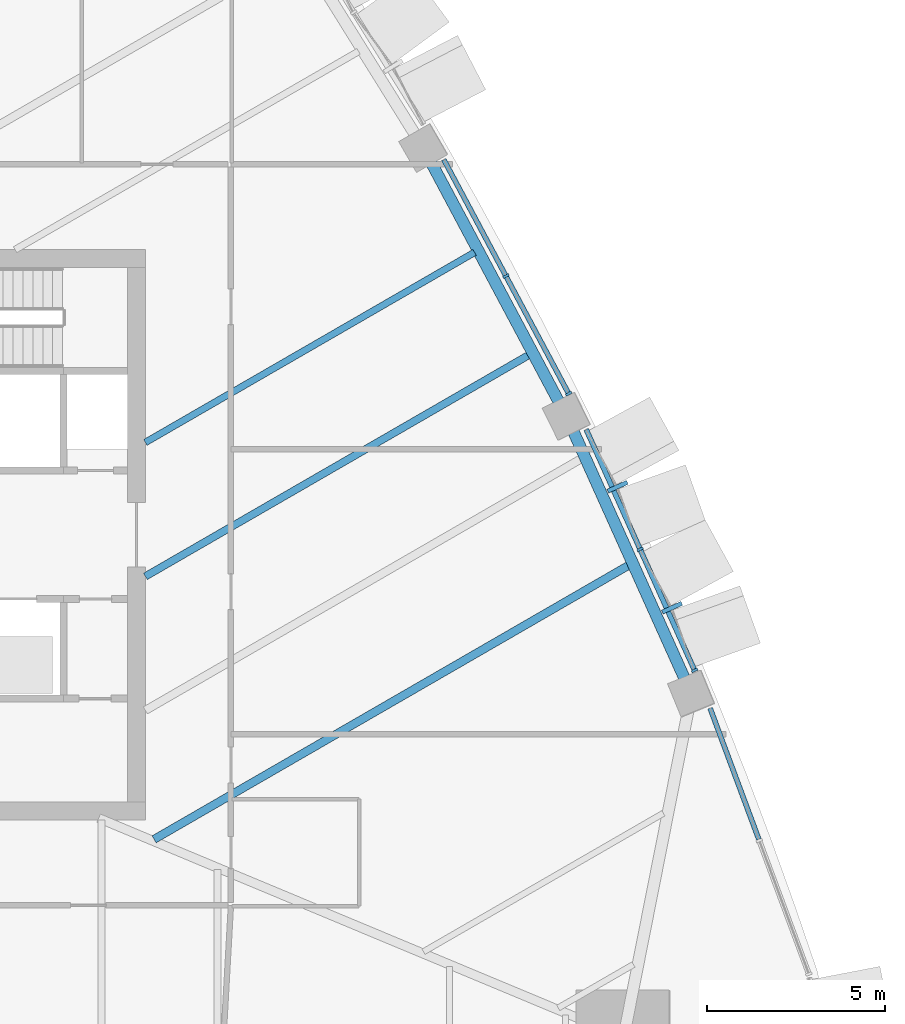
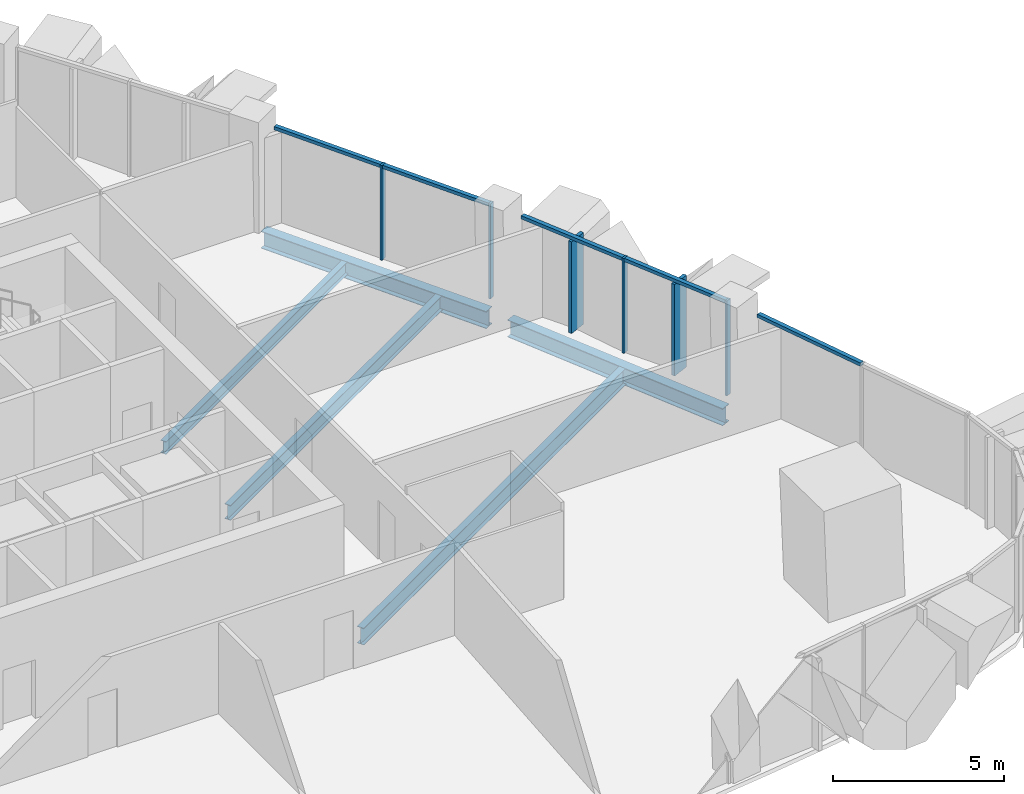
# One storey, part 5 of 17: 11 members, 5 beams, 3 elements without a shape of their own.
"""IFC4 building model written with IfcOpenShell, lengths in metres."""

from ifc_helpers import new_model, si_unit, direction, frame, origin, origin_2d, place, context, subcontext, project, spatial, rectangle, i_section, extrude, material, layer, layer_set, material_profile, profile_set, type_object, element, aggregate, save


model = new_model("IFC4")

# Units and contexts
model_context = context("Model", 3, precision=1e-05, world=origin(), true_north=direction((0.0, 1.0)))
body_context = subcontext(model_context, "Body", "Model", "MODEL_VIEW")
ifc_project = project(units=[si_unit("LENGTHUNIT", "METRE"), si_unit("AREAUNIT", "SQUARE_METRE"), si_unit("VOLUMEUNIT", "CUBIC_METRE"), si_unit("PLANEANGLEUNIT", "RADIAN"), si_unit("MASSUNIT", "GRAM", prefix="KILO")], contexts=[model_context])

# Site, building, storey
site_placement = place(None, origin())
site = spatial("IfcSite", under=ifc_project, at=site_placement, CompositionType="ELEMENT")
building_placement = place(site_placement, origin())
building = spatial("IfcBuilding", under=site, at=building_placement, Name="Sierra Prisma Convention Tower", CompositionType="ELEMENT")
storey_placement = place(building_placement, frame((0.0, 0.0, 149.800048828125)))
storey = spatial("IfcBuildingStorey", under=building, at=storey_placement, Name="L32", CompositionType="ELEMENT", Elevation=149.800048828125)

# Curtain wall, members
ifc_material_1 = material(Name="Aluminium and glass curtain wall", Category="aluminium")
ifc_layer_1 = layer(ifc_material_1, 0.179931640625)
ifc_layer_set_1 = layer_set([ifc_layer_1], Name="CW-2 Faceted crystal curtain wall")
curtain_wall_type_1 = type_object("IfcCurtainWallType", Name="CW-2 Faceted crystal curtain wall", PredefinedType="NOTDEFINED", material=ifc_layer_set_1)
curtain_wall_1_placement = place(storey_placement, origin())
curtain_wall_1 = element("IfcCurtainWall", 1, at=curtain_wall_1_placement, inside=storey, type_object=curtain_wall_type_1, Name="CW-2 NE2 L32", PredefinedType="NOTDEFINED")
ifc_material_2 = material(Name="Aluminium 6063-T6 bronze anodised", Category="aluminium")
ifc_material_profile_1 = material_profile(ifc_material_2, rectangle(XDim=0.1201171875, YDim=0.60009765625, at=origin_2d()), Name="ALU RIDGE BLADE 120x600")
ifc_profile_set_1 = profile_set([ifc_material_profile_1], Name="Aluminium 6063-T6 bronze anodised")
member_type_1 = type_object("IfcMemberType", Name="CW hip bronze", PredefinedType="MULLION", material=ifc_profile_set_1)
member_1_placement = place(storey_placement, frame((25.77880859375, -2.0478515625, 0.0), z_axis=(0.0, 0.0, 1.0), x_axis=(-0.410343631466, 0.911930975521, 0.0)))
member_1 = element("IfcMember", 2, at=member_1_placement, type_object=member_type_1, Name="CW-2 ridge NE2.1", PredefinedType="MULLION", context=body_context, shape_type="SweptSolid", body=[
    extrude(rectangle(XDim=0.1201171875, YDim=0.60009765625, at=origin_2d()), origin(), (0.0, 0.0, 1.0), 3.280029296875),
])
member_2_placement = place(storey_placement, frame((24.25048828125, 1.348388671875, 0.0), z_axis=(0.0, 0.0, 1.0), x_axis=(-0.410343631466, 0.911930975521, 0.0)))
member_2 = element("IfcMember", 3, at=member_2_placement, type_object=member_type_1, Name="CW-2 ridge NE2.2", PredefinedType="MULLION", context=body_context, shape_type="SweptSolid", body=[
    extrude(rectangle(XDim=0.1201171875, YDim=0.60009765625, at=origin_2d()), origin(), (0.0, 0.0, 1.0), 3.280029296875),
])
ifc_material_3 = material(Name="Aluminium 6063-T6 bronze anodised", Category="aluminium")
ifc_material_profile_2 = material_profile(ifc_material_3, rectangle(XDim=0.179931640625, YDim=0.070068359375, at=origin_2d()), Name="ALU MULLION 70x180")
ifc_profile_set_2 = profile_set([ifc_material_profile_2], Name="Aluminium 6063-T6 bronze anodised")
member_type_2 = type_object("IfcMemberType", Name="CW mullion bronze", PredefinedType="MULLION", material=ifc_profile_set_2)
member_3_placement = place(storey_placement, frame((26.411865234375, -3.80517578125, 0.0), z_axis=(0.0, 0.0, 1.0), x_axis=(-0.911930975521, -0.410343631466, 0.0)))
member_3 = element("IfcMember", 4, at=member_3_placement, type_object=member_type_2, Name="CW-1 mullion NE2.1", PredefinedType="MULLION", context=body_context, shape_type="SweptSolid", body=[
    extrude(rectangle(XDim=0.179931640625, YDim=0.070068359375, at=origin_2d()), origin(), (0.0, 0.0, 1.0), 3.39990234375),
])
member_4_placement = place(storey_placement, frame((24.883544921875, -0.408935546875, 0.0), z_axis=(0.0, 0.0, 1.0), x_axis=(-0.911930975521, -0.410343631466, 0.0)))
member_4 = element("IfcMember", 5, at=member_4_placement, type_object=member_type_2, Name="CW-1 mullion NE2.2", PredefinedType="MULLION", context=body_context, shape_type="SweptSolid", body=[
    extrude(rectangle(XDim=0.179931640625, YDim=0.070068359375, at=origin_2d()), origin(), (0.0, 0.0, 1.0), 3.39990234375),
])

ifc_material_4 = material(Name="Aluminium and glass curtain wall", Category="aluminium")
ifc_layer_2 = layer(ifc_material_4, 0.179931640625)
ifc_layer_set_2 = layer_set([ifc_layer_2], Name="CW-1 Plain shaft curtain wall")
curtain_wall_type_2 = type_object("IfcCurtainWallType", Name="CW-1 Plain shaft curtain wall", PredefinedType="NOTDEFINED", material=ifc_layer_set_2)
curtain_wall_2_placement = place(storey_placement, origin())
curtain_wall_2 = element("IfcCurtainWall", 6, at=curtain_wall_2_placement, inside=storey, type_object=curtain_wall_type_2, Name="CW-1 NE3 L32", PredefinedType="NOTDEFINED")
member_5_placement = place(storey_placement, frame((22.878173828125, 3.958251953125, 0.0), z_axis=(0.0, 0.0, 1.0), x_axis=(-0.882328403488, -0.470634240571, 0.0)))
member_5 = element("IfcMember", 7, at=member_5_placement, type_object=member_type_2, Name="CW-1 mullion NE3.1", PredefinedType="MULLION", context=body_context, shape_type="SweptSolid", body=[
    extrude(rectangle(XDim=0.179931640625, YDim=0.070068359375, at=origin_2d()), origin(), (0.0, 0.0, 1.0), 3.39990234375),
])
member_6_placement = place(storey_placement, frame((21.117919921875, 7.258544921875, 0.0), z_axis=(0.0, 0.0, 1.0), x_axis=(-0.882328403488, -0.470634240571, 0.0)))
member_6 = element("IfcMember", 8, at=member_6_placement, type_object=member_type_2, Name="CW-1 mullion NE3.2", PredefinedType="MULLION", context=body_context, shape_type="SweptSolid", body=[
    extrude(rectangle(XDim=0.179931640625, YDim=0.070068359375, at=origin_2d()), origin(), (0.0, 0.0, 1.0), 3.39990234375),
])

# Curtain wall, member
curtain_wall_3_placement = place(storey_placement, origin())
curtain_wall_3 = element("IfcCurtainWall", 9, at=curtain_wall_3_placement, inside=storey, type_object=curtain_wall_type_2, Name="CW-1 NE1 L32", PredefinedType="NOTDEFINED")
ifc_material_5 = material(Name="Aluminium 6063-T6 bronze anodised", Category="aluminium")
ifc_material_profile_3 = material_profile(ifc_material_5, rectangle(XDim=0.139892578125, YDim=0.1201171875, at=origin_2d()), Name="ALU TRANSOM 120x140")
ifc_profile_set_3 = profile_set([ifc_material_profile_3], Name="Aluminium 6063-T6 bronze anodised")
member_type_3 = type_object("IfcMemberType", Name="CW transom bronze", PredefinedType="USERDEFINED", material=ifc_profile_set_3)
member_7_placement = place(storey_placement, frame((28.21533203125, -8.548828125, 3.33984375), z_axis=(-0.348184968516, 0.937425851841, 0.0), x_axis=(-0.937425851841, -0.348184968516, 0.0)))
member_7 = element("IfcMember", 10, at=member_7_placement, type_object=member_type_3, Name="CW-1 transom NE1.2", ObjectType="TRANSOM", PredefinedType="USERDEFINED", context=body_context, shape_type="SweptSolid", body=[
    extrude(rectangle(XDim=0.139892578125, YDim=0.1201171875, at=origin_2d()), origin(), (0.0, 0.0, 1.0), 3.926513671875),
])
aggregate(curtain_wall_3, [member_7])

# Member
member_8_placement = place(storey_placement, frame((26.3974609375, -3.773193359375, 3.33984375), z_axis=(-0.410336898198, 0.911934005275, 0.0), x_axis=(-0.911934005275, -0.410336898198, 0.0)))
member_8 = element("IfcMember", 11, at=member_8_placement, type_object=member_type_3, Name="CW-1 transom NE2.1", ObjectType="TRANSOM", PredefinedType="USERDEFINED", context=body_context, shape_type="SweptSolid", body=[
    extrude(rectangle(XDim=0.139892578125, YDim=0.1201171875, at=origin_2d()), origin(), (0.0, 0.0, 1.0), 3.654296875),
])

member_9_placement = place(storey_placement, frame((24.869140625, -0.376953125, 3.33984375), z_axis=(-0.410336898198, 0.911934005275, 0.0), x_axis=(-0.911934005275, -0.410336898198, 0.0)))
member_9 = element("IfcMember", 12, at=member_9_placement, type_object=member_type_3, Name="CW-1 transom NE2.2", ObjectType="TRANSOM", PredefinedType="USERDEFINED", context=body_context, shape_type="SweptSolid", body=[
    extrude(rectangle(XDim=0.139892578125, YDim=0.1201171875, at=origin_2d()), origin(), (0.0, 0.0, 1.0), 3.654296875),
])

aggregate(curtain_wall_1, [member_3, member_4, member_8, member_1, member_9, member_2])

member_10_placement = place(storey_placement, frame((22.86181640625, 3.9892578125, 3.33984375), z_axis=(-0.470684902954, 0.88230137829, 0.0), x_axis=(-0.88230137829, -0.470684902954, 0.0)))
member_10 = element("IfcMember", 13, at=member_10_placement, type_object=member_type_3, Name="CW-1 transom NE3.1", ObjectType="TRANSOM", PredefinedType="USERDEFINED", context=body_context, shape_type="SweptSolid", body=[
    extrude(rectangle(XDim=0.139892578125, YDim=0.1201171875, at=origin_2d()), origin(), (0.0, 0.0, 1.0), 3.670166015625),
])

member_11_placement = place(storey_placement, frame((21.101318359375, 7.289306640625, 3.33984375), z_axis=(-0.470605497318, 0.882343734547, 0.0), x_axis=(-0.882343734547, -0.470605497318, 0.0)))
member_11 = element("IfcMember", 14, at=member_11_placement, type_object=member_type_3, Name="CW-1 transom NE3.2", ObjectType="TRANSOM", PredefinedType="USERDEFINED", context=body_context, shape_type="SweptSolid", body=[
    extrude(rectangle(XDim=0.139892578125, YDim=0.1201171875, at=origin_2d()), origin(), (0.0, 0.0, 1.0), 3.67041015625),
])

aggregate(curtain_wall_2, [member_5, member_6, member_10, member_11])

# Beams
ifc_material_6 = material(Name="Steel ASTM A992 Gr 50", Category="steel")
ifc_material_profile_4 = material_profile(ifc_material_6, i_section(OverallWidth=0.18994140625, OverallDepth=0.45703125, WebThickness=0.009033203125, FlangeThickness=0.014404296875, at=origin_2d()), Name="W460x74")
ifc_profile_set_4 = profile_set([ifc_material_profile_4], Name="Steel ASTM A992 Gr 50")
beam_type_1 = type_object("IfcBeamType", Name="Floor joist W460x74", PredefinedType="JOIST", material=ifc_profile_set_4)
beam_1_placement = place(storey_placement, frame((20.23828125, 7.9248046875, -0.378662109375), z_axis=(-0.866024751559, -0.500001129686, 0.0), x_axis=(0.500001129686, -0.866024751559, 0.0)))
element("IfcBeam", 15, at=beam_1_placement, inside=storey, type_object=beam_type_1, Name="Floor joist L32 NE07", PredefinedType="JOIST", context=body_context, shape_type="SweptSolid", body=[
    extrude(i_section(OverallWidth=0.18994140625, OverallDepth=0.45703125, WebThickness=0.009033203125, FlangeThickness=0.014404296875, at=origin_2d()), origin(), (0.0, 0.0, 1.0), 10.66748046875),
])
ifc_material_7 = material(Name="Steel ASTM A992 Gr 50", Category="steel")
ifc_material_profile_5 = material_profile(ifc_material_7, i_section(OverallWidth=0.208984375, OverallDepth=0.532958984375, WebThickness=0.01025390625, FlangeThickness=0.015625, at=origin_2d()), Name="W530x92")
ifc_profile_set_5 = profile_set([ifc_material_profile_5], Name="Steel ASTM A992 Gr 50")
beam_type_2 = type_object("IfcBeamType", Name="Floor joist W530x92", PredefinedType="JOIST", material=ifc_profile_set_5)
beam_2_placement = place(storey_placement, frame((21.771728515625, 5.05029296875, -0.41650390625), z_axis=(-0.866027709035, -0.499996007168, 0.0), x_axis=(0.499996007168, -0.866027709035, 0.0)))
element("IfcBeam", 16, at=beam_2_placement, inside=storey, type_object=beam_type_2, Name="Floor joist L32 NE06", PredefinedType="JOIST", context=body_context, shape_type="SweptSolid", body=[
    extrude(i_section(OverallWidth=0.208984375, OverallDepth=0.532958984375, WebThickness=0.01025390625, FlangeThickness=0.015625, at=origin_2d()), origin(), (0.0, 0.0, 1.0), 12.43798828125),
])
ifc_material_8 = material(Name="Steel ASTM A992 Gr 50", Category="steel")
ifc_material_profile_6 = material_profile(ifc_material_8, i_section(OverallWidth=0.22802734375, OverallDepth=0.60302734375, WebThickness=0.010498046875, FlangeThickness=0.014892578125, at=origin_2d()), Name="W610x101")
ifc_profile_set_6 = profile_set([ifc_material_profile_6], Name="Steel ASTM A992 Gr 50")
beam_type_3 = type_object("IfcBeamType", Name="Floor joist W610x101", PredefinedType="JOIST", material=ifc_profile_set_6)
beam_3_placement = place(storey_placement, frame((24.5751953125, -0.850830078125, -0.45166015625), z_axis=(-0.866029758529, -0.499992457286, 0.0), x_axis=(0.499992457286, -0.866029758529, 0.0)))
element("IfcBeam", 17, at=beam_3_placement, inside=storey, type_object=beam_type_3, Name="Floor joist L32 NE04", PredefinedType="JOIST", context=body_context, shape_type="SweptSolid", body=[
    extrude(i_section(OverallWidth=0.22802734375, OverallDepth=0.60302734375, WebThickness=0.010498046875, FlangeThickness=0.014892578125, at=origin_2d()), origin(), (0.0, 0.0, 1.0), 15.393310546875),
])
ifc_material_9 = material(Name="Steel ASTM A992 Gr 50", Category="steel")
ifc_material_profile_7 = material_profile(ifc_material_9, i_section(OverallWidth=0.324951171875, OverallDepth=0.615966796875, WebThickness=0.013916015625, FlangeThickness=0.021484375, at=origin_2d()), Name="W610x174")
ifc_profile_set_7 = profile_set([ifc_material_profile_7], Name="Steel ASTM A992 Gr 50")
beam_type_4 = type_object("IfcBeamType", Name="Spandrel beam W610x174", PredefinedType="BEAM", material=ifc_profile_set_7)
beam_4_placement = place(storey_placement, frame((26.169677734375, -4.11962890625, -0.4580078125), z_axis=(-0.410359457356, 0.911923854145, 0.0), x_axis=(-0.911923854145, -0.410359457356, 0.0)))
element("IfcBeam", 18, at=beam_4_placement, inside=storey, type_object=beam_type_4, Name="Spandrel L32-08", PredefinedType="BEAM", context=body_context, shape_type="SweptSolid", body=[
    extrude(i_section(OverallWidth=0.324951171875, OverallDepth=0.615966796875, WebThickness=0.013916015625, FlangeThickness=0.021484375, at=origin_2d()), origin(), (0.0, 0.0, 1.0), 7.77880859375),
])
beam_5_placement = place(storey_placement, frame((22.642578125, 3.656494140625, -0.4580078125), z_axis=(-0.470609411499, 0.882341646874, 0.0), x_axis=(-0.882341646874, -0.470609411499, 0.0)))
element("IfcBeam", 19, at=beam_5_placement, inside=storey, type_object=beam_type_4, Name="Spandrel L32-09", PredefinedType="BEAM", context=body_context, shape_type="SweptSolid", body=[
    extrude(i_section(OverallWidth=0.324951171875, OverallDepth=0.615966796875, WebThickness=0.013916015625, FlangeThickness=0.021484375, at=origin_2d()), origin(), (0.0, 0.0, 1.0), 7.779052734375),
])

save(model, "model.ifc")
